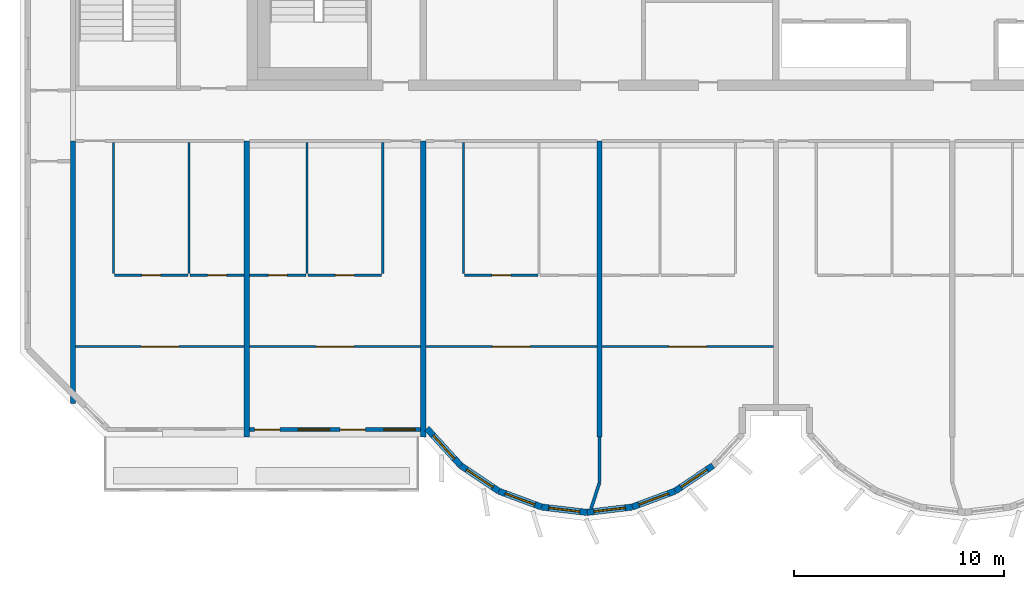
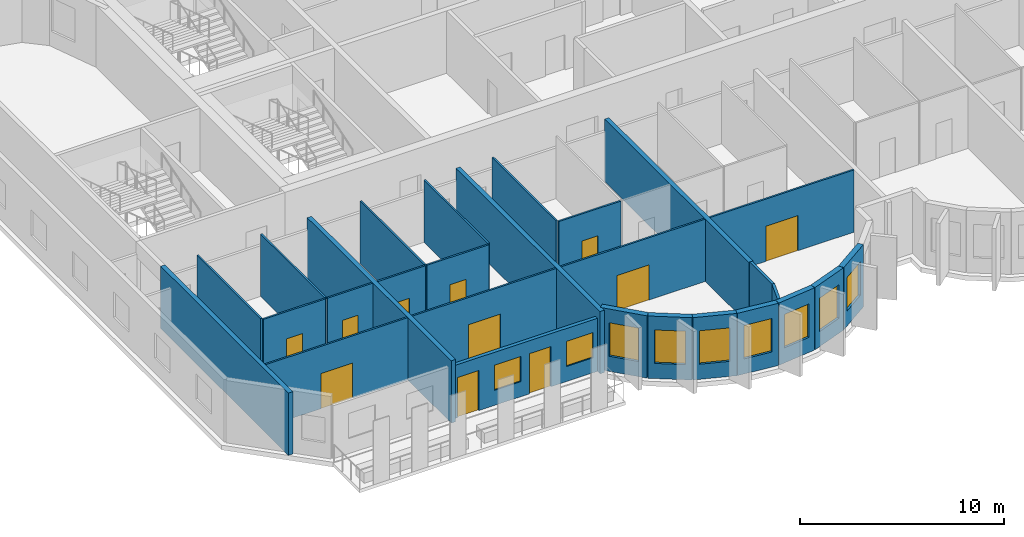
# One storey, part 2 of 12: 28 walls, 11 doors, 9 windows, 20 openings.
"""IFC4 building model written with IfcOpenShell, lengths in metres."""

from ifc_helpers import new_model, si_unit, direction, frame, frame_2d, origin, place, context, subcontext, project, spatial, rectangle, extrude, source, transform, mapped, material, layer, layer_set, type_object, element, fill, save


model = new_model("IFC4")

# Units and contexts
model_context = context("Model", 3, precision=1e-05, world=origin(), true_north=direction((0.0, 1.0)))
body_context = subcontext(model_context, "Body", "Model", "MODEL_VIEW")
ifc_project = project(units=[si_unit("LENGTHUNIT", "METRE"), si_unit("AREAUNIT", "SQUARE_METRE"), si_unit("VOLUMEUNIT", "CUBIC_METRE"), si_unit("PLANEANGLEUNIT", "RADIAN"), si_unit("MASSUNIT", "GRAM", prefix="KILO")], contexts=[model_context])

# Site, building, storey
site_placement = place(None, origin())
site = spatial("IfcSite", under=ifc_project, at=site_placement, CompositionType="ELEMENT")
building_placement = place(site_placement, origin())
building = spatial("IfcBuilding", under=site, at=building_placement, Name="Vanashikhar Sky Hotel", CompositionType="ELEMENT")
storey_placement = place(building_placement, frame((0.0, 0.0, 285.699951171875)))
storey = spatial("IfcBuildingStorey", under=building, at=storey_placement, Name="L68", CompositionType="ELEMENT", Elevation=285.699951171875)

# Walls
ifc_material_1 = material(Name="Concrete M50", Category="concrete")
ifc_layer_1 = layer(ifc_material_1, 0.25)
ifc_layer_set_1 = layer_set([ifc_layer_1], Name="RC shear wall 250 Concrete M50")
wall_type_1 = type_object("IfcWallType", Name="RC shear wall 250 Concrete M50", PredefinedType="SHEAR", material=ifc_layer_set_1)
shared_shape_1 = source(origin(), body_context, "Body", "SweptSolid", [
    extrude(rectangle(XDim=12.5, YDim=0.25, at=frame_2d((6.25, 0.0))), origin(), (0.0, 0.0, 1.0), 3.719970703125),
])
wall_1_placement = place(storey_placement, frame((16.925048828125, 7.10009765625, 0.0), z_axis=(0.0, 0.0, 1.0), x_axis=(0.0, 1.0, 0.0)))
element("IfcWall", 1, at=wall_1_placement, inside=storey, type_object=wall_type_1, Name="CW-L68-XW03-1", PredefinedType="SHEAR", context=body_context, shape_type="MappedRepresentation", body=[
    mapped(shared_shape_1, transform((0.0, 0.0, 0.0), scale=1.0)),
])
shared_shape_2 = source(origin(), body_context, "Body", "SweptSolid", [
    extrude(rectangle(XDim=14.10009765625, YDim=0.25, at=frame_2d((7.050048828125, 0.0))), origin(), (0.0, 0.0, 1.0), 3.719970703125),
])
for number, where, z_axis, x_axis, name in (
    (2, (25.199951171875, 5.5, 0.0), (0.0, 0.0, 1.0), (0.0, 1.0, 0.0), "CW-L68-XW04-1"),
    (3, (33.60009765625, 5.5, 0.0), (0.0, 0.0, 1.0), (0.0, 1.0, 0.0), "CW-L68-XW05-1"),
    (4, (42.0, 5.5, 0.0), (0.0, 0.0, 1.0), (0.0, 1.0, 0.0), "CW-L68-XW06-1"),
):
    element("IfcWall", number, at=place(storey_placement, frame(where, z_axis=z_axis, x_axis=x_axis)), inside=storey, type_object=wall_type_1, Name=name, PredefinedType="SHEAR", context=body_context, shape_type="MappedRepresentation", body=[
        mapped(shared_shape_2, transform((0.0, 0.0, 0.0), scale=1.0)),
    ])

# Wall, openings, windows, doors
ifc_layer_2 = layer(ifc_material_1, 0.199951171875)
ifc_layer_set_2 = layer_set([ifc_layer_2], Name="Front window wall 200")
wall_type_2 = type_object("IfcWallType", Name="Front window wall 200", PredefinedType="SOLIDWALL", material=ifc_layer_set_2)
shared_shape_3 = source(origin(), body_context, "Body", "SweptSolid", [
    extrude(rectangle(XDim=8.150146484375, YDim=0.199951171875, at=frame_2d((4.0751953125, 0.0))), origin(), (0.0, 0.0, 1.0), 3.170166015625),
])
wall_2_placement = place(storey_placement, frame((25.324951171875, 5.85009765625, 0.0), z_axis=(0.0, 0.0, 1.0), x_axis=(1.0, 0.0, 0.0)))
wall_2 = element("IfcWall", 5, at=wall_2_placement, inside=storey, type_object=wall_type_2, Name="Front window wall", PredefinedType="SOLIDWALL", context=body_context, shape_type="MappedRepresentation", body=[
    mapped(shared_shape_3, transform((0.0, 0.0, 0.0), scale=1.0)),
])
shared_shape_4 = source(origin(), body_context, "Body", "SweptSolid", [
    extrude(rectangle(XDim=1.199951171875, YDim=2.39990234375, at=frame_2d((0.60009765625, 1.199951171875))), frame((0.0, 0.10986328125, 0.0), z_axis=(0.0, -1.0, 0.0), x_axis=(1.0, 0.0, 0.0)), (0.0, 0.0, 1.0), 0.219970703125),
])
opening_1_placement = place(wall_2_placement, frame((0.25, 0.0, 0.0)))
opening_1 = element("IfcOpeningElement", 6, at=opening_1_placement, cuts=wall_2, Name="Opening BD-01", PredefinedType="OPENING", context=body_context, shape_type="MappedRepresentation", body=[
    mapped(shared_shape_4, transform((0.0, 0.0, 0.0), scale=1.0)),
])
shared_shape_5 = source(origin(), body_context, "Body", "SweptSolid", [
    extrude(rectangle(XDim=1.5, YDim=1.5, at=frame_2d((0.75, 0.75))), frame((0.0, 0.10986328125, 0.0), z_axis=(0.0, -1.0, 0.0), x_axis=(1.0, 0.0, 0.0)), (0.0, 0.0, 1.0), 0.219970703125),
])
opening_2_placement = place(wall_2_placement, frame((2.324951171875, 0.0, 0.89990234375)))
opening_2 = element("IfcOpeningElement", 7, at=opening_2_placement, cuts=wall_2, Name="Opening WN-1", PredefinedType="OPENING", context=body_context, shape_type="MappedRepresentation", body=[
    mapped(shared_shape_5, transform((0.0, 0.0, 0.0), scale=1.0)),
])
opening_3_placement = place(wall_2_placement, frame((4.324951171875, 0.0, 0.0)))
opening_3 = element("IfcOpeningElement", 8, at=opening_3_placement, cuts=wall_2, Name="Opening BD-02", PredefinedType="OPENING", context=body_context, shape_type="MappedRepresentation", body=[
    mapped(shared_shape_4, transform((0.0, 0.0, 0.0), scale=1.0)),
])
opening_4_placement = place(wall_2_placement, frame((6.39990234375, 0.0, 0.89990234375)))
opening_4 = element("IfcOpeningElement", 9, at=opening_4_placement, cuts=wall_2, Name="Opening WN-1", PredefinedType="OPENING", context=body_context, shape_type="MappedRepresentation", body=[
    mapped(shared_shape_5, transform((0.0, 0.0, 0.0), scale=1.0)),
])
ifc_material_2 = material(Name="Glass", Category="glass")
window_type_1 = type_object("IfcWindowType", Name="Window 1500 x 1500", PartitioningType="SINGLE_PANEL", PredefinedType="WINDOW", material=ifc_material_2)
shared_shape_6 = source(origin(), body_context, "Body", "SweptSolid", [
    extrude(rectangle(XDim=1.5, YDim=1.5, at=frame_2d((0.75, 0.75))), frame((0.0, 0.030029296875, 0.0), z_axis=(0.0, -1.0, 0.0), x_axis=(1.0, 0.0, 0.0)), (0.0, 0.0, 1.0), 0.06005859375),
])
window_1_placement = place(opening_2_placement, origin())
window_1 = element("IfcWindow", 10, at=window_1_placement, inside=storey, type_object=window_type_1, Name="Window WN-1", OverallHeight=1.5, OverallWidth=1.5, PartitioningType="SINGLE_PANEL", PredefinedType="WINDOW", context=body_context, shape_type="MappedRepresentation", body=[
    mapped(shared_shape_6, transform((0.0, 0.0, 0.0), scale=1.0)),
])
fill(opening_2, window_1)
window_2_placement = place(opening_4_placement, origin())
window_2 = element("IfcWindow", 11, at=window_2_placement, inside=storey, type_object=window_type_1, Name="Window WN-1", OverallHeight=1.5, OverallWidth=1.5, PartitioningType="SINGLE_PANEL", PredefinedType="WINDOW", context=body_context, shape_type="MappedRepresentation", body=[
    mapped(shared_shape_6, transform((0.0, 0.0, 0.0), scale=1.0)),
])
fill(opening_4, window_2)
ifc_material_3 = material(Name="Aluminium", Category="aluminium")
door_type_1 = type_object("IfcDoorType", Name="Balcony sliding door 1200 x 2400", OperationType="NOTDEFINED", PredefinedType="DOOR", material=ifc_material_3)
shared_shape_7 = source(origin(), body_context, "Body", "SweptSolid", [
    extrude(rectangle(XDim=1.199951171875, YDim=2.39990234375, at=frame_2d((0.60009765625, 1.199951171875))), frame((0.0, 0.02490234375, 0.0), z_axis=(0.0, -1.0, 0.0), x_axis=(1.0, 0.0, 0.0)), (0.0, 0.0, 1.0), 0.050048828125),
])
door_1_placement = place(opening_1_placement, origin())
door_1 = element("IfcDoor", 12, at=door_1_placement, inside=storey, type_object=door_type_1, Name="Balcony sliding door", OperationType="SLIDING_TO_LEFT", OverallHeight=2.39990234375, OverallWidth=1.199951171875, PredefinedType="DOOR", context=body_context, shape_type="MappedRepresentation", body=[
    mapped(shared_shape_7, transform((0.0, 0.0, 0.0), scale=1.0)),
])
fill(opening_1, door_1)
door_2_placement = place(opening_3_placement, origin())
door_2 = element("IfcDoor", 13, at=door_2_placement, inside=storey, type_object=door_type_1, Name="Balcony sliding door", OperationType="SLIDING_TO_RIGHT", OverallHeight=2.39990234375, OverallWidth=1.199951171875, PredefinedType="DOOR", context=body_context, shape_type="MappedRepresentation", body=[
    mapped(shared_shape_7, transform((0.0, 0.0, 0.0), scale=1.0)),
])
fill(opening_3, door_2)

# Wall, opening, window
ifc_layer_3 = layer(ifc_material_1, 0.300048828125)
ifc_layer_set_3 = layer_set([ifc_layer_3], Name="Lobe wall 300")
wall_type_3 = type_object("IfcWallType", Name="Lobe wall 300", PredefinedType="SOLIDWALL", material=ifc_layer_set_3)
shared_shape_8 = source(origin(), body_context, "Body", "SweptSolid", [
    extrude(rectangle(XDim=2.398193359375, YDim=0.300048828125, at=frame_2d((1.19921875, 0.0))), origin(), (0.0, 0.0, 1.0), 3.719970703125),
])
wall_3_placement = place(storey_placement, frame((33.776123046875, 5.89990234375, 0.0), z_axis=(0.0, 0.0, 1.0), x_axis=(0.675374189419, -0.737475222815, 0.0)))
wall_3 = element("IfcWall", 14, at=wall_3_placement, inside=storey, type_object=wall_type_3, Name="Lobe wall", PredefinedType="SOLIDWALL", context=body_context, shape_type="MappedRepresentation", body=[
    mapped(shared_shape_8, transform((0.0, 0.0, 0.0), scale=1.0)),
])
shared_shape_9 = source(origin(), body_context, "Body", "SweptSolid", [
    extrude(rectangle(XDim=1.5, YDim=2.0, at=frame_2d((0.75, 1.0))), frame((0.0, 0.16015625, 0.0), z_axis=(0.0, -1.0, 0.0), x_axis=(1.0, 0.0, 0.0)), (0.0, 0.0, 1.0), 0.320068359375),
])
opening_5_placement = place(wall_3_placement, frame((0.44921875, 0.0, 0.89990234375)))
opening_5 = element("IfcOpeningElement", 15, at=opening_5_placement, cuts=wall_3, Name="Opening WN-2", PredefinedType="OPENING", context=body_context, shape_type="MappedRepresentation", body=[
    mapped(shared_shape_9, transform((0.0, 0.0, 0.0), scale=1.0)),
])
window_type_2 = type_object("IfcWindowType", Name="Lobe window 1500 x 2000", PartitioningType="SINGLE_PANEL", PredefinedType="WINDOW", material=ifc_material_2)
shared_shape_10 = source(origin(), body_context, "Body", "SweptSolid", [
    extrude(rectangle(XDim=1.5, YDim=2.0, at=frame_2d((0.75, 1.0))), frame((0.0, 0.030029296875, 0.0), z_axis=(0.0, -1.0, 0.0), x_axis=(1.0, 0.0, 0.0)), (0.0, 0.0, 1.0), 0.06005859375),
])
window_3_placement = place(opening_5_placement, origin())
window_3 = element("IfcWindow", 16, at=window_3_placement, inside=storey, type_object=window_type_2, Name="Window WN-2", OverallHeight=2.0, OverallWidth=1.5, PartitioningType="SINGLE_PANEL", PredefinedType="WINDOW", context=body_context, shape_type="MappedRepresentation", body=[
    mapped(shared_shape_10, transform((0.0, 0.0, 0.0), scale=1.0)),
])
fill(opening_5, window_3)

shared_shape_11 = source(origin(), body_context, "Body", "SweptSolid", [
    extrude(rectangle(XDim=2.17578125, YDim=0.300048828125, at=frame_2d((1.087890625, 0.0))), origin(), (0.0, 0.0, 1.0), 3.719970703125),
])
wall_4_placement = place(storey_placement, frame((35.395751953125, 4.13134765625, 0.0), z_axis=(0.0, 0.0, 1.0), x_axis=(0.829590746428, -0.558371913192, 0.0)))
wall_4 = element("IfcWall", 17, at=wall_4_placement, inside=storey, type_object=wall_type_3, Name="Lobe wall", PredefinedType="SOLIDWALL", context=body_context, shape_type="MappedRepresentation", body=[
    mapped(shared_shape_11, transform((0.0, 0.0, 0.0), scale=1.0)),
])
opening_6_placement = place(wall_4_placement, frame((0.337890625, 0.0, 0.89990234375)))
opening_6 = element("IfcOpeningElement", 18, at=opening_6_placement, cuts=wall_4, Name="Opening WN-2", PredefinedType="OPENING", context=body_context, shape_type="MappedRepresentation", body=[
    mapped(shared_shape_9, transform((0.0, 0.0, 0.0), scale=1.0)),
])
window_4_placement = place(opening_6_placement, origin())
window_4 = element("IfcWindow", 19, at=window_4_placement, inside=storey, type_object=window_type_2, Name="Window WN-2", OverallHeight=2.0, OverallWidth=1.5, PartitioningType="SINGLE_PANEL", PredefinedType="WINDOW", context=body_context, shape_type="MappedRepresentation", body=[
    mapped(shared_shape_10, transform((0.0, 0.0, 0.0), scale=1.0)),
])
fill(opening_6, window_4)

wall_5_placement = place(storey_placement, frame((37.20068359375, 2.91650390625, 0.0), z_axis=(0.0, 0.0, 1.0), x_axis=(0.93754555999, -0.347862505801, 0.0)))
wall_5 = element("IfcWall", 20, at=wall_5_placement, inside=storey, type_object=wall_type_3, Name="Lobe wall", PredefinedType="SOLIDWALL", context=body_context, shape_type="MappedRepresentation", body=[
    mapped(shared_shape_11, transform((0.0, 0.0, 0.0), scale=1.0)),
])
opening_7_placement = place(wall_5_placement, frame((0.337890625, 0.0, 0.89990234375)))
opening_7 = element("IfcOpeningElement", 21, at=opening_7_placement, cuts=wall_5, Name="Opening WN-2", PredefinedType="OPENING", context=body_context, shape_type="MappedRepresentation", body=[
    mapped(shared_shape_9, transform((0.0, 0.0, 0.0), scale=1.0)),
])
window_5_placement = place(opening_7_placement, origin())
window_5 = element("IfcWindow", 22, at=window_5_placement, inside=storey, type_object=window_type_2, Name="Window WN-2", OverallHeight=2.0, OverallWidth=1.5, PartitioningType="SINGLE_PANEL", PredefinedType="WINDOW", context=body_context, shape_type="MappedRepresentation", body=[
    mapped(shared_shape_10, transform((0.0, 0.0, 0.0), scale=1.0)),
])
fill(opening_7, window_5)

wall_6_placement = place(storey_placement, frame((45.59912109375, 2.91650390625, 0.0), z_axis=(0.0, 0.0, 1.0), x_axis=(0.829625727223, 0.558319937607, 0.0)))
wall_6 = element("IfcWall", 23, at=wall_6_placement, inside=storey, type_object=wall_type_3, Name="Lobe wall", PredefinedType="SOLIDWALL", context=body_context, shape_type="MappedRepresentation", body=[
    mapped(shared_shape_11, transform((0.0, 0.0, 0.0), scale=1.0)),
])
opening_8_placement = place(wall_6_placement, frame((0.337890625, 0.0, 0.89990234375)))
opening_8 = element("IfcOpeningElement", 24, at=opening_8_placement, cuts=wall_6, Name="Opening WN-2", PredefinedType="OPENING", context=body_context, shape_type="MappedRepresentation", body=[
    mapped(shared_shape_9, transform((0.0, 0.0, 0.0), scale=1.0)),
])
window_6_placement = place(opening_8_placement, origin())
window_6 = element("IfcWindow", 25, at=window_6_placement, inside=storey, type_object=window_type_2, Name="Window WN-2", OverallHeight=2.0, OverallWidth=1.5, PartitioningType="SINGLE_PANEL", PredefinedType="WINDOW", context=body_context, shape_type="MappedRepresentation", body=[
    mapped(shared_shape_10, transform((0.0, 0.0, 0.0), scale=1.0)),
])
fill(opening_8, window_6)

shared_shape_12 = source(origin(), body_context, "Body", "SweptSolid", [
    extrude(rectangle(XDim=2.174560546875, YDim=0.300048828125, at=frame_2d((1.08740234375, 0.0))), origin(), (0.0, 0.0, 1.0), 3.719970703125),
])
wall_7_placement = place(storey_placement, frame((39.240478515625, 2.15966796875, 0.0), z_axis=(0.0, 0.0, 1.0), x_axis=(0.993001132889, -0.118104826659, 0.0)))
wall_7 = element("IfcWall", 26, at=wall_7_placement, inside=storey, type_object=wall_type_3, Name="Lobe wall", PredefinedType="SOLIDWALL", context=body_context, shape_type="MappedRepresentation", body=[
    mapped(shared_shape_12, transform((0.0, 0.0, 0.0), scale=1.0)),
])
opening_9_placement = place(wall_7_placement, frame((0.33740234375, 0.0, 0.89990234375)))
opening_9 = element("IfcOpeningElement", 27, at=opening_9_placement, cuts=wall_7, Name="Opening WN-2", PredefinedType="OPENING", context=body_context, shape_type="MappedRepresentation", body=[
    mapped(shared_shape_9, transform((0.0, 0.0, 0.0), scale=1.0)),
])
window_7_placement = place(opening_9_placement, origin())
window_7 = element("IfcWindow", 28, at=window_7_placement, inside=storey, type_object=window_type_2, Name="Window WN-2", OverallHeight=2.0, OverallWidth=1.5, PartitioningType="SINGLE_PANEL", PredefinedType="WINDOW", context=body_context, shape_type="MappedRepresentation", body=[
    mapped(shared_shape_10, transform((0.0, 0.0, 0.0), scale=1.0)),
])
fill(opening_9, window_7)

shared_shape_13 = source(origin(), body_context, "Body", "SweptSolid", [
    extrude(rectangle(XDim=2.1748046875, YDim=0.300048828125, at=frame_2d((1.08740234375, 0.0))), origin(), (0.0, 0.0, 1.0), 3.719970703125),
])
wall_8_placement = place(storey_placement, frame((41.39990234375, 1.90283203125, 0.0), z_axis=(0.0, 0.0, 1.0), x_axis=(0.993002698611, 0.118091661648, 0.0)))
wall_8 = element("IfcWall", 29, at=wall_8_placement, inside=storey, type_object=wall_type_3, Name="Lobe wall", PredefinedType="SOLIDWALL", context=body_context, shape_type="MappedRepresentation", body=[
    mapped(shared_shape_13, transform((0.0, 0.0, 0.0), scale=1.0)),
])
opening_10_placement = place(wall_8_placement, frame((0.33740234375, 0.0, 0.89990234375)))
opening_10 = element("IfcOpeningElement", 30, at=opening_10_placement, cuts=wall_8, Name="Opening WN-2", PredefinedType="OPENING", context=body_context, shape_type="MappedRepresentation", body=[
    mapped(shared_shape_9, transform((0.0, 0.0, 0.0), scale=1.0)),
])
window_8_placement = place(opening_10_placement, origin())
window_8 = element("IfcWindow", 31, at=window_8_placement, inside=storey, type_object=window_type_2, Name="Window WN-2", OverallHeight=2.0, OverallWidth=1.5, PartitioningType="SINGLE_PANEL", PredefinedType="WINDOW", context=body_context, shape_type="MappedRepresentation", body=[
    mapped(shared_shape_10, transform((0.0, 0.0, 0.0), scale=1.0)),
])
fill(opening_10, window_8)

shared_shape_14 = source(origin(), body_context, "Body", "SweptSolid", [
    extrude(rectangle(XDim=2.175537109375, YDim=0.300048828125, at=frame_2d((1.087890625, 0.0))), origin(), (0.0, 0.0, 1.0), 3.719970703125),
])
wall_9_placement = place(storey_placement, frame((43.5595703125, 2.15966796875, 0.0), z_axis=(0.0, 0.0, 1.0), x_axis=(0.937531979054, 0.347899106424, 0.0)))
wall_9 = element("IfcWall", 32, at=wall_9_placement, inside=storey, type_object=wall_type_3, Name="Lobe wall", PredefinedType="SOLIDWALL", context=body_context, shape_type="MappedRepresentation", body=[
    mapped(shared_shape_14, transform((0.0, 0.0, 0.0), scale=1.0)),
])
opening_11_placement = place(wall_9_placement, frame((0.337890625, 0.0, 0.89990234375)))
opening_11 = element("IfcOpeningElement", 33, at=opening_11_placement, cuts=wall_9, Name="Opening WN-2", PredefinedType="OPENING", context=body_context, shape_type="MappedRepresentation", body=[
    mapped(shared_shape_9, transform((0.0, 0.0, 0.0), scale=1.0)),
])
window_9_placement = place(opening_11_placement, origin())
window_9 = element("IfcWindow", 34, at=window_9_placement, inside=storey, type_object=window_type_2, Name="Window WN-2", OverallHeight=2.0, OverallWidth=1.5, PartitioningType="SINGLE_PANEL", PredefinedType="WINDOW", context=body_context, shape_type="MappedRepresentation", body=[
    mapped(shared_shape_10, transform((0.0, 0.0, 0.0), scale=1.0)),
])
fill(opening_11, window_9)

# Walls
ifc_material_4 = material(Name="Gypsum plasterboard partition")
ifc_layer_4 = layer(ifc_material_4, 0.10009765625)
ifc_layer_set_4 = layer_set([ifc_layer_4], Name="Wet room partition 100")
wall_type_4 = type_object("IfcWallType", Name="Wet room partition 100", PredefinedType="PARTITIONING", material=ifc_layer_set_4)
shared_shape_15 = source(origin(), body_context, "Body", "SweptSolid", [
    extrude(rectangle(XDim=6.25, YDim=0.10009765625, at=frame_2d((3.125, 0.0))), origin(), (0.0, 0.0, 1.0), 3.719970703125),
])
for number, where, z_axis, x_axis, name in (
    (35, (18.85009765625, 13.27490234375, 0.0), (0.0, 0.0, 1.0), (0.0, 1.0, 0.0), "W-L68-PW001"),
    (36, (22.449951171875, 13.27490234375, 0.0), (0.0, 0.0, 1.0), (0.0, 1.0, 0.0), "W-L68-PW002"),
    (37, (31.675048828125, 13.27490234375, 0.0), (0.0, 0.0, 1.0), (0.0, 1.0, 0.0), "W-L68-PW007"),
    (38, (28.074951171875, 13.27490234375, 0.0), (0.0, 0.0, 1.0), (0.0, 1.0, 0.0), "W-L68-PW008"),
    (39, (35.52490234375, 13.27490234375, 0.0), (0.0, 0.0, 1.0), (0.0, 1.0, 0.0), "W-L68-PW013"),
):
    element("IfcWall", number, at=place(storey_placement, frame(where, z_axis=z_axis, x_axis=x_axis)), inside=storey, type_object=wall_type_4, Name=name, PredefinedType="PARTITIONING", context=body_context, shape_type="MappedRepresentation", body=[
        mapped(shared_shape_15, transform((0.0, 0.0, 0.0), scale=1.0)),
    ])

# Wall, opening, door
shared_shape_16 = source(origin(), body_context, "Body", "SweptSolid", [
    extrude(rectangle(XDim=3.5, YDim=0.10009765625, at=frame_2d((1.75, 0.0))), origin(), (0.0, 0.0, 1.0), 3.719970703125),
])
wall_10_placement = place(storey_placement, frame((18.89990234375, 13.199951171875, 0.0), z_axis=(0.0, 0.0, 1.0), x_axis=(1.0, 0.0, 0.0)))
wall_10 = element("IfcWall", 40, at=wall_10_placement, inside=storey, type_object=wall_type_4, Name="W-L68-PW003", PredefinedType="PARTITIONING", context=body_context, shape_type="MappedRepresentation", body=[
    mapped(shared_shape_16, transform((0.0, 0.0, 0.0), scale=1.0)),
])
shared_shape_17 = source(origin(), body_context, "Body", "SweptSolid", [
    extrude(rectangle(XDim=0.89990234375, YDim=2.10009765625, at=frame_2d((0.449951171875, 1.050048828125))), frame((0.0, 0.06005859375, 0.0), z_axis=(0.0, -1.0, 0.0), x_axis=(1.0, 0.0, 0.0)), (0.0, 0.0, 1.0), 0.1201171875),
])
opening_12_placement = place(wall_10_placement, frame((1.300048828125, 0.0, 0.0)))
opening_12 = element("IfcOpeningElement", 41, at=opening_12_placement, cuts=wall_10, Name="Opening D-02", PredefinedType="OPENING", context=body_context, shape_type="MappedRepresentation", body=[
    mapped(shared_shape_17, transform((0.0, 0.0, 0.0), scale=1.0)),
])
ifc_material_5 = material(Name="Timber door", Category="wood")
door_type_2 = type_object("IfcDoorType", Name="Internal door 900", OperationType="NOTDEFINED", PredefinedType="DOOR", material=ifc_material_5)
shared_shape_18 = source(origin(), body_context, "Body", "SweptSolid", [
    extrude(rectangle(XDim=0.89990234375, YDim=2.10009765625, at=frame_2d((0.449951171875, 1.050048828125))), frame((0.0, 0.02490234375, 0.0), z_axis=(0.0, -1.0, 0.0), x_axis=(1.0, 0.0, 0.0)), (0.0, 0.0, 1.0), 0.050048828125),
])
door_3_placement = place(opening_12_placement, origin())
door_3 = element("IfcDoor", 42, at=door_3_placement, inside=storey, type_object=door_type_2, Name="D-L68-001", OperationType="SINGLE_SWING_LEFT", OverallHeight=2.10009765625, OverallWidth=0.89990234375, PredefinedType="DOOR", context=body_context, shape_type="MappedRepresentation", body=[
    mapped(shared_shape_18, transform((0.0, 0.0, 0.0), scale=1.0)),
])
fill(opening_12, door_3)

wall_11_placement = place(storey_placement, frame((28.125, 13.199951171875, 0.0), z_axis=(0.0, 0.0, 1.0), x_axis=(1.0, 0.0, 0.0)))
wall_11 = element("IfcWall", 43, at=wall_11_placement, inside=storey, type_object=wall_type_4, Name="W-L68-PW009", PredefinedType="PARTITIONING", context=body_context, shape_type="MappedRepresentation", body=[
    mapped(shared_shape_16, transform((0.0, 0.0, 0.0), scale=1.0)),
])
opening_13_placement = place(wall_11_placement, frame((1.300048828125, 0.0, 0.0)))
opening_13 = element("IfcOpeningElement", 44, at=opening_13_placement, cuts=wall_11, Name="Opening D-02", PredefinedType="OPENING", context=body_context, shape_type="MappedRepresentation", body=[
    mapped(shared_shape_17, transform((0.0, 0.0, 0.0), scale=1.0)),
])
door_4_placement = place(opening_13_placement, origin())
door_4 = element("IfcDoor", 45, at=door_4_placement, inside=storey, type_object=door_type_2, Name="D-L68-005", OperationType="SINGLE_SWING_RIGHT", OverallHeight=2.10009765625, OverallWidth=0.89990234375, PredefinedType="DOOR", context=body_context, shape_type="MappedRepresentation", body=[
    mapped(shared_shape_18, transform((0.0, 0.0, 0.0), scale=1.0)),
])
fill(opening_13, door_4)

wall_12_placement = place(storey_placement, frame((35.574951171875, 13.199951171875, 0.0), z_axis=(0.0, 0.0, 1.0), x_axis=(1.0, 0.0, 0.0)))
wall_12 = element("IfcWall", 46, at=wall_12_placement, inside=storey, type_object=wall_type_4, Name="W-L68-PW015", PredefinedType="PARTITIONING", context=body_context, shape_type="MappedRepresentation", body=[
    mapped(shared_shape_16, transform((0.0, 0.0, 0.0), scale=1.0)),
])
opening_14_placement = place(wall_12_placement, frame((1.300048828125, 0.0, 0.0)))
opening_14 = element("IfcOpeningElement", 47, at=opening_14_placement, cuts=wall_12, Name="Opening D-02", PredefinedType="OPENING", context=body_context, shape_type="MappedRepresentation", body=[
    mapped(shared_shape_17, transform((0.0, 0.0, 0.0), scale=1.0)),
])
door_5_placement = place(opening_14_placement, origin())
door_5 = element("IfcDoor", 48, at=door_5_placement, inside=storey, type_object=door_type_2, Name="D-L68-009", OperationType="SINGLE_SWING_LEFT", OverallHeight=2.10009765625, OverallWidth=0.89990234375, PredefinedType="DOOR", context=body_context, shape_type="MappedRepresentation", body=[
    mapped(shared_shape_18, transform((0.0, 0.0, 0.0), scale=1.0)),
])
fill(opening_14, door_5)

shared_shape_19 = source(origin(), body_context, "Body", "SweptSolid", [
    extrude(rectangle(XDim=2.574951171875, YDim=0.10009765625, at=frame_2d((1.28759765625, 0.0))), origin(), (0.0, 0.0, 1.0), 3.719970703125),
])
wall_13_placement = place(storey_placement, frame((22.5, 13.199951171875, 0.0), z_axis=(0.0, 0.0, 1.0), x_axis=(1.0, 0.0, 0.0)))
wall_13 = element("IfcWall", 49, at=wall_13_placement, inside=storey, type_object=wall_type_4, Name="W-L68-PW004", PredefinedType="PARTITIONING", context=body_context, shape_type="MappedRepresentation", body=[
    mapped(shared_shape_19, transform((0.0, 0.0, 0.0), scale=1.0)),
])
opening_15_placement = place(wall_13_placement, frame((0.837890625, 0.0, 0.0)))
opening_15 = element("IfcOpeningElement", 50, at=opening_15_placement, cuts=wall_13, Name="Opening D-02", PredefinedType="OPENING", context=body_context, shape_type="MappedRepresentation", body=[
    mapped(shared_shape_17, transform((0.0, 0.0, 0.0), scale=1.0)),
])
door_6_placement = place(opening_15_placement, origin())
door_6 = element("IfcDoor", 51, at=door_6_placement, inside=storey, type_object=door_type_2, Name="D-L68-002", OperationType="SINGLE_SWING_LEFT", OverallHeight=2.10009765625, OverallWidth=0.89990234375, PredefinedType="DOOR", context=body_context, shape_type="MappedRepresentation", body=[
    mapped(shared_shape_18, transform((0.0, 0.0, 0.0), scale=1.0)),
])
fill(opening_15, door_6)

shared_shape_20 = source(origin(), body_context, "Body", "SweptSolid", [
    extrude(rectangle(XDim=8.02490234375, YDim=0.10009765625, at=frame_2d((4.012451171875, 0.0))), origin(), (0.0, 0.0, 1.0), 3.719970703125),
])
wall_14_placement = place(storey_placement, frame((17.050048828125, 9.802001953125, 0.0), z_axis=(0.0, 0.0, 1.0), x_axis=(1.0, 0.0, 0.0)))
wall_14 = element("IfcWall", 52, at=wall_14_placement, inside=storey, type_object=wall_type_4, Name="W-L68-PW005", PredefinedType="PARTITIONING", context=body_context, shape_type="MappedRepresentation", body=[
    mapped(shared_shape_20, transform((0.0, 0.0, 0.0), scale=1.0)),
])
shared_shape_21 = source(origin(), body_context, "Body", "SweptSolid", [
    extrude(rectangle(XDim=1.800048828125, YDim=2.10009765625, at=frame_2d((0.89990234375, 1.050048828125))), frame((0.0, 0.06005859375, 0.0), z_axis=(0.0, -1.0, 0.0), x_axis=(1.0, 0.0, 0.0)), (0.0, 0.0, 1.0), 0.1201171875),
])
opening_16_placement = place(wall_14_placement, frame((3.113037109375, 0.0, 0.0)))
opening_16 = element("IfcOpeningElement", 53, at=opening_16_placement, cuts=wall_14, Name="Opening D-08", PredefinedType="OPENING", context=body_context, shape_type="MappedRepresentation", body=[
    mapped(shared_shape_21, transform((0.0, 0.0, 0.0), scale=1.0)),
])
door_type_3 = type_object("IfcDoorType", Name="Double leaf door 1800", OperationType="NOTDEFINED", PredefinedType="DOOR", material=ifc_material_5)
shared_shape_22 = source(origin(), body_context, "Body", "SweptSolid", [
    extrude(rectangle(XDim=1.800048828125, YDim=2.10009765625, at=frame_2d((0.89990234375, 1.050048828125))), frame((0.0, 0.02490234375, 0.0), z_axis=(0.0, -1.0, 0.0), x_axis=(1.0, 0.0, 0.0)), (0.0, 0.0, 1.0), 0.050048828125),
])
door_7_placement = place(opening_16_placement, origin())
door_7 = element("IfcDoor", 54, at=door_7_placement, inside=storey, type_object=door_type_3, Name="D-L68-003", OperationType="DOUBLE_DOOR_SINGLE_SWING", OverallHeight=2.10009765625, OverallWidth=1.800048828125, PredefinedType="DOOR", context=body_context, shape_type="MappedRepresentation", body=[
    mapped(shared_shape_22, transform((0.0, 0.0, 0.0), scale=1.0)),
])
fill(opening_16, door_7)

shared_shape_23 = source(origin(), body_context, "Body", "SweptSolid", [
    extrude(rectangle(XDim=2.699951171875, YDim=0.10009765625, at=frame_2d((1.35009765625, 0.0))), origin(), (0.0, 0.0, 1.0), 3.719970703125),
])
wall_15_placement = place(storey_placement, frame((25.324951171875, 13.199951171875, 0.0), z_axis=(0.0, 0.0, 1.0), x_axis=(1.0, 0.0, 0.0)))
wall_15 = element("IfcWall", 55, at=wall_15_placement, inside=storey, type_object=wall_type_4, Name="W-L68-PW010", PredefinedType="PARTITIONING", context=body_context, shape_type="MappedRepresentation", body=[
    mapped(shared_shape_23, transform((0.0, 0.0, 0.0), scale=1.0)),
])
opening_17_placement = place(wall_15_placement, frame((0.89990234375, 0.0, 0.0)))
opening_17 = element("IfcOpeningElement", 56, at=opening_17_placement, cuts=wall_15, Name="Opening D-02", PredefinedType="OPENING", context=body_context, shape_type="MappedRepresentation", body=[
    mapped(shared_shape_17, transform((0.0, 0.0, 0.0), scale=1.0)),
])
door_8_placement = place(opening_17_placement, origin())
door_8 = element("IfcDoor", 57, at=door_8_placement, inside=storey, type_object=door_type_2, Name="D-L68-006", OperationType="SINGLE_SWING_RIGHT", OverallHeight=2.10009765625, OverallWidth=0.89990234375, PredefinedType="DOOR", context=body_context, shape_type="MappedRepresentation", body=[
    mapped(shared_shape_18, transform((0.0, 0.0, 0.0), scale=1.0)),
])
fill(opening_17, door_8)

shared_shape_24 = source(origin(), body_context, "Body", "SweptSolid", [
    extrude(rectangle(XDim=8.150146484375, YDim=0.10009765625, at=frame_2d((4.0751953125, 0.0))), origin(), (0.0, 0.0, 1.0), 3.719970703125),
])
wall_16_placement = place(storey_placement, frame((25.324951171875, 9.802001953125, 0.0), z_axis=(0.0, 0.0, 1.0), x_axis=(1.0, 0.0, 0.0)))
wall_16 = element("IfcWall", 58, at=wall_16_placement, inside=storey, type_object=wall_type_4, Name="W-L68-PW011", PredefinedType="PARTITIONING", context=body_context, shape_type="MappedRepresentation", body=[
    mapped(shared_shape_24, transform((0.0, 0.0, 0.0), scale=1.0)),
])
opening_18_placement = place(wall_16_placement, frame((3.175048828125, 0.0, 0.0)))
opening_18 = element("IfcOpeningElement", 59, at=opening_18_placement, cuts=wall_16, Name="Opening D-08", PredefinedType="OPENING", context=body_context, shape_type="MappedRepresentation", body=[
    mapped(shared_shape_21, transform((0.0, 0.0, 0.0), scale=1.0)),
])
door_9_placement = place(opening_18_placement, origin())
door_9 = element("IfcDoor", 60, at=door_9_placement, inside=storey, type_object=door_type_3, Name="D-L68-007", OperationType="DOUBLE_DOOR_SINGLE_SWING", OverallHeight=2.10009765625, OverallWidth=1.800048828125, PredefinedType="DOOR", context=body_context, shape_type="MappedRepresentation", body=[
    mapped(shared_shape_22, transform((0.0, 0.0, 0.0), scale=1.0)),
])
fill(opening_18, door_9)

shared_shape_25 = source(origin(), body_context, "Body", "SweptSolid", [
    extrude(rectangle(XDim=8.14990234375, YDim=0.10009765625, at=frame_2d((4.074951171875, 0.0))), origin(), (0.0, 0.0, 1.0), 3.719970703125),
])
wall_17_placement = place(storey_placement, frame((33.72509765625, 9.802001953125, 0.0), z_axis=(0.0, 0.0, 1.0), x_axis=(1.0, 0.0, 0.0)))
wall_17 = element("IfcWall", 61, at=wall_17_placement, inside=storey, type_object=wall_type_4, Name="W-L68-PW017", PredefinedType="PARTITIONING", context=body_context, shape_type="MappedRepresentation", body=[
    mapped(shared_shape_25, transform((0.0, 0.0, 0.0), scale=1.0)),
])
opening_19_placement = place(wall_17_placement, frame((3.175048828125, 0.0, 0.0)))
opening_19 = element("IfcOpeningElement", 62, at=opening_19_placement, cuts=wall_17, Name="Opening D-08", PredefinedType="OPENING", context=body_context, shape_type="MappedRepresentation", body=[
    mapped(shared_shape_21, transform((0.0, 0.0, 0.0), scale=1.0)),
])
door_10_placement = place(opening_19_placement, origin())
door_10 = element("IfcDoor", 63, at=door_10_placement, inside=storey, type_object=door_type_3, Name="D-L68-011", OperationType="DOUBLE_DOOR_SINGLE_SWING", OverallHeight=2.10009765625, OverallWidth=1.800048828125, PredefinedType="DOOR", context=body_context, shape_type="MappedRepresentation", body=[
    mapped(shared_shape_22, transform((0.0, 0.0, 0.0), scale=1.0)),
])
fill(opening_19, door_10)

wall_18_placement = place(storey_placement, frame((42.125, 9.802001953125, 0.0), z_axis=(0.0, 0.0, 1.0), x_axis=(1.0, 0.0, 0.0)))
wall_18 = element("IfcWall", 64, at=wall_18_placement, inside=storey, type_object=wall_type_4, Name="W-L68-PW023", PredefinedType="PARTITIONING", context=body_context, shape_type="MappedRepresentation", body=[
    mapped(shared_shape_25, transform((0.0, 0.0, 0.0), scale=1.0)),
])
opening_20_placement = place(wall_18_placement, frame((3.175048828125, 0.0, 0.0)))
opening_20 = element("IfcOpeningElement", 65, at=opening_20_placement, cuts=wall_18, Name="Opening D-08", PredefinedType="OPENING", context=body_context, shape_type="MappedRepresentation", body=[
    mapped(shared_shape_21, transform((0.0, 0.0, 0.0), scale=1.0)),
])
door_11_placement = place(opening_20_placement, origin())
door_11 = element("IfcDoor", 66, at=door_11_placement, inside=storey, type_object=door_type_3, Name="D-L68-015", OperationType="DOUBLE_DOOR_SINGLE_SWING", OverallHeight=2.10009765625, OverallWidth=1.800048828125, PredefinedType="DOOR", context=body_context, shape_type="MappedRepresentation", body=[
    mapped(shared_shape_22, transform((0.0, 0.0, 0.0), scale=1.0)),
])
fill(opening_20, door_11)

# Walls
ifc_layer_5 = layer(ifc_material_4, 0.14990234375)
ifc_layer_set_5 = layer_set([ifc_layer_5], Name="Corridor and demising partition 150")
wall_type_5 = type_object("IfcWallType", Name="Corridor and demising partition 150", PredefinedType="PARTITIONING", material=ifc_layer_set_5)
shared_shape_26 = source(origin(), body_context, "Body", "SweptSolid", [
    extrude(rectangle(XDim=2.177978515625, YDim=0.14990234375, at=frame_2d((1.0888671875, 0.0))), origin(), (0.0, 0.0, 1.0), 3.719970703125),
])
wall_19_placement = place(storey_placement, frame((42.0, 3.322021484375, 0.0), z_axis=(0.0, 0.0, 1.0), x_axis=(0.0, 1.0, 0.0)))
element("IfcWall", 67, at=wall_19_placement, inside=storey, type_object=wall_type_5, Name="W-L68-PW046", PredefinedType="PARTITIONING", context=body_context, shape_type="MappedRepresentation", body=[
    mapped(shared_shape_26, transform((0.0, 0.0, 0.0), scale=1.0)),
])
shared_shape_27 = source(origin(), body_context, "Body", "SweptSolid", [
    extrude(rectangle(XDim=1.308349609375, YDim=0.14990234375, at=frame_2d((0.654296875, 0.0))), origin(), (0.0, 0.0, 1.0), 3.719970703125),
])
wall_20_placement = place(storey_placement, frame((41.597900390625, 2.076904296875, 0.0), z_axis=(0.0, 0.0, 1.0), x_axis=(0.307313512187, 0.951608325535, 0.0)))
element("IfcWall", 68, at=wall_20_placement, inside=storey, type_object=wall_type_5, Name="W-L68-PW046B0", PredefinedType="PARTITIONING", context=body_context, shape_type="MappedRepresentation", body=[
    mapped(shared_shape_27, transform((0.0, 0.0, 0.0), scale=1.0)),
])

save(model, "model.ifc")
